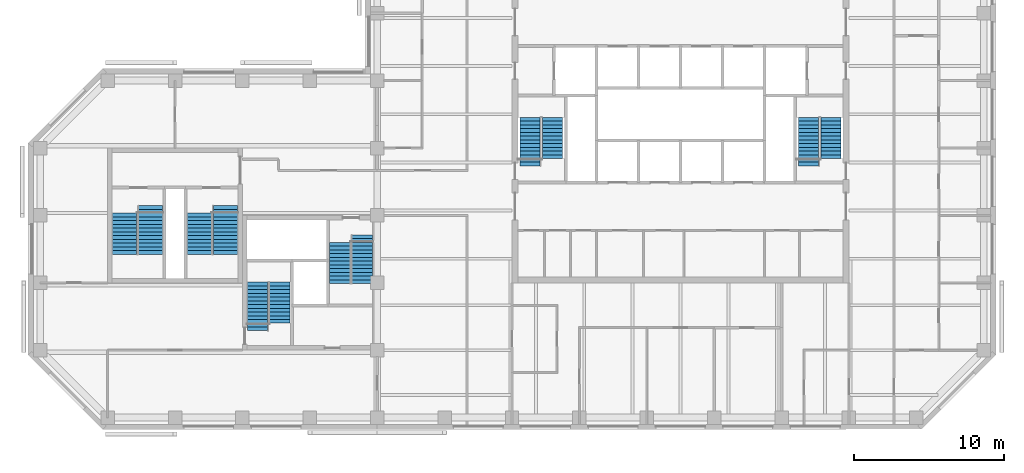
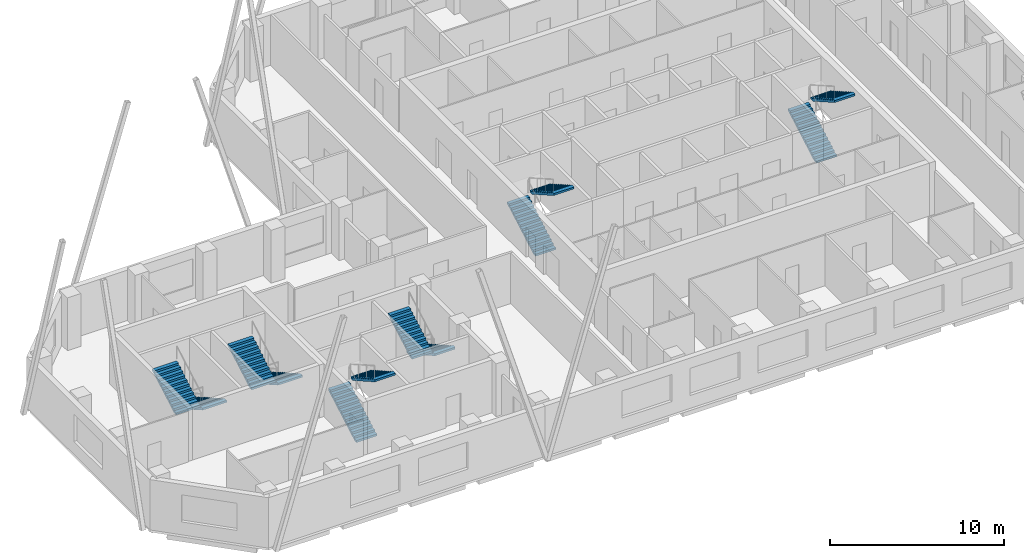
# One storey, part 9 of 10: 12 stair flights, 6 elements without a shape of their own.
"""IFC4 building model written with IfcOpenShell, lengths in metres."""

from ifc_helpers import new_model, si_unit, direction, frame, origin, place, context, subcontext, project, spatial, polyline, outline, extrude, material, type_object, element, aggregate, save


model = new_model("IFC4")

# Units and contexts
model_context = context("Model", 3, precision=1e-05, world=origin(), true_north=direction((0.0, 1.0)))
body_context = subcontext(model_context, "Body", "Model", "MODEL_VIEW")
ifc_project = project(units=[si_unit("LENGTHUNIT", "METRE"), si_unit("AREAUNIT", "SQUARE_METRE"), si_unit("VOLUMEUNIT", "CUBIC_METRE"), si_unit("PLANEANGLEUNIT", "RADIAN"), si_unit("MASSUNIT", "GRAM", prefix="KILO")], contexts=[model_context])

# Site, building, storey
site_placement = place(None, origin())
site = spatial("IfcSite", under=ifc_project, at=site_placement, CompositionType="ELEMENT")
building_placement = place(site_placement, origin())
building = spatial("IfcBuilding", under=site, at=building_placement, Name="Quoin Convention Tower", CompositionType="ELEMENT")
storey_placement = place(building_placement, frame((0.0, 0.0, 188.39990234375)))
storey = spatial("IfcBuildingStorey", under=building, at=storey_placement, Name="L49", CompositionType="ELEMENT", Elevation=188.39990234375)

# Stair, stair flights
ifc_material = material(Name="Concrete C40", Category="concrete")
stair_type_1 = type_object("IfcStairType", Name="Exit stair two-flight 1350", PredefinedType="HALF_TURN_STAIR", material=ifc_material)
stair_1_placement = place(storey_placement, origin())
stair_1 = element("IfcStair", 1, at=stair_1_placement, inside=storey, type_object=stair_type_1, Name="SD1 L49", PredefinedType="HALF_TURN_STAIR")
stair_flight_type_1 = type_object("IfcStairFlightType", Name="Stair flight 1350", PredefinedType="STRAIGHT", material=ifc_material)
stair_flight_1_placement = place(storey_placement, frame((46.199951171875, 57.300048828125, 0.0), z_axis=(0.0, 0.0, 1.0), x_axis=(0.0, 1.0, 0.0)))
stair_flight_1 = element("IfcStairFlight", 2, at=stair_flight_1_placement, type_object=stair_flight_type_1, Name="ST1 flight 1", NumberOfRisers=14, NumberOfTreads=13, PredefinedType="STRAIGHT", RiserHeight=0.142307692, TreadLength=0.25, context=body_context, shape_type="SweptSolid", body=[
    extrude(outline(polyline([(0.0, 0.0), (0.0, 0.142333984375), (0.25, 0.142333984375), (0.25, 0.28466796875), (0.5, 0.28466796875), (0.5, 0.427001953125), (0.75, 0.427001953125), (0.75, 0.5693359375), (1.0, 0.5693359375), (1.0, 0.71142578125), (1.25, 0.71142578125), (1.25, 0.853759765625), (1.5, 0.853759765625), (1.5, 0.99609375), (1.75, 0.99609375), (1.75, 1.138427734375), (2.0, 1.138427734375), (2.0, 1.28076171875), (2.25, 1.28076171875), (2.25, 1.423095703125), (2.5, 1.423095703125), (2.5, 1.5654296875), (2.75, 1.5654296875), (2.75, 1.707763671875), (3.0, 1.707763671875), (3.0, 1.85009765625), (3.25, 1.85009765625), (3.25, 1.9921875), (3.25, 1.711669921875), (0.242919921875, 0.0), (0.0, 0.0)])), frame((0.0, 0.675048828125, 0.0), z_axis=(0.0, -1.0, 0.0), x_axis=(1.0, 0.0, 0.0)), (0.0, 0.0, 1.0), 1.35009765625),
])
stair_flight_2_placement = place(storey_placement, frame((47.699951171875, 60.550048828125, 1.992431640625), z_axis=(0.0, 0.0, 1.0), x_axis=(0.0, -1.0, 0.0)))
stair_flight_2 = element("IfcStairFlight", 3, at=stair_flight_2_placement, type_object=stair_flight_type_1, Name="ST1 flight 2", NumberOfRisers=12, NumberOfTreads=11, PredefinedType="STRAIGHT", RiserHeight=0.142307692, TreadLength=0.25, context=body_context, shape_type="SweptSolid", body=[
    extrude(outline(polyline([(0.0, 0.0), (0.0, 0.142333984375), (0.25, 0.142333984375), (0.25, 0.28466796875), (0.5, 0.28466796875), (0.5, 0.427001953125), (0.75, 0.427001953125), (0.75, 0.5693359375), (1.0, 0.5693359375), (1.0, 0.71142578125), (1.25, 0.71142578125), (1.25, 0.853759765625), (1.5, 0.853759765625), (1.5, 0.99609375), (1.75, 0.99609375), (1.75, 1.138427734375), (2.0, 1.138427734375), (2.0, 1.28076171875), (2.25, 1.28076171875), (2.25, 1.423095703125), (2.5, 1.423095703125), (2.5, 1.5654296875), (2.75, 1.5654296875), (2.75, 1.707763671875), (2.75, 1.42724609375), (0.242919921875, 0.0), (0.0, 0.0)])), frame((0.0, 0.675048828125, 0.0), z_axis=(0.0, -1.0, 0.0), x_axis=(1.0, 0.0, 0.0)), (0.0, 0.0, 1.0), 1.35009765625),
])
aggregate(stair_1, [stair_flight_1, stair_flight_2])

stair_2_placement = place(storey_placement, origin())
stair_2 = element("IfcStair", 4, at=stair_2_placement, inside=storey, type_object=stair_type_1, Name="SD2 L49", PredefinedType="HALF_TURN_STAIR")
stair_flight_3_placement = place(storey_placement, frame((64.800048828125, 57.300048828125, 0.0), z_axis=(0.0, 0.0, 1.0), x_axis=(0.0, 1.0, 0.0)))
stair_flight_3 = element("IfcStairFlight", 5, at=stair_flight_3_placement, type_object=stair_flight_type_1, Name="ST2 flight 1", NumberOfRisers=14, NumberOfTreads=13, PredefinedType="STRAIGHT", RiserHeight=0.142307692, TreadLength=0.25, context=body_context, shape_type="SweptSolid", body=[
    extrude(outline(polyline([(0.0, 0.0), (0.0, 0.142333984375), (0.25, 0.142333984375), (0.25, 0.28466796875), (0.5, 0.28466796875), (0.5, 0.427001953125), (0.75, 0.427001953125), (0.75, 0.5693359375), (1.0, 0.5693359375), (1.0, 0.71142578125), (1.25, 0.71142578125), (1.25, 0.853759765625), (1.5, 0.853759765625), (1.5, 0.99609375), (1.75, 0.99609375), (1.75, 1.138427734375), (2.0, 1.138427734375), (2.0, 1.28076171875), (2.25, 1.28076171875), (2.25, 1.423095703125), (2.5, 1.423095703125), (2.5, 1.5654296875), (2.75, 1.5654296875), (2.75, 1.707763671875), (3.0, 1.707763671875), (3.0, 1.85009765625), (3.25, 1.85009765625), (3.25, 1.9921875), (3.25, 1.711669921875), (0.242919921875, 0.0), (0.0, 0.0)])), frame((0.0, 0.675048828125, 0.0), z_axis=(0.0, -1.0, 0.0), x_axis=(1.0, 0.0, 0.0)), (0.0, 0.0, 1.0), 1.35009765625),
])
stair_flight_4_placement = place(storey_placement, frame((66.300048828125, 60.550048828125, 1.992431640625), z_axis=(0.0, 0.0, 1.0), x_axis=(0.0, -1.0, 0.0)))
stair_flight_4 = element("IfcStairFlight", 6, at=stair_flight_4_placement, type_object=stair_flight_type_1, Name="ST2 flight 2", NumberOfRisers=12, NumberOfTreads=11, PredefinedType="STRAIGHT", RiserHeight=0.142307692, TreadLength=0.25, context=body_context, shape_type="SweptSolid", body=[
    extrude(outline(polyline([(0.0, 0.0), (0.0, 0.142333984375), (0.25, 0.142333984375), (0.25, 0.28466796875), (0.5, 0.28466796875), (0.5, 0.427001953125), (0.75, 0.427001953125), (0.75, 0.5693359375), (1.0, 0.5693359375), (1.0, 0.71142578125), (1.25, 0.71142578125), (1.25, 0.853759765625), (1.5, 0.853759765625), (1.5, 0.99609375), (1.75, 0.99609375), (1.75, 1.138427734375), (2.0, 1.138427734375), (2.0, 1.28076171875), (2.25, 1.28076171875), (2.25, 1.423095703125), (2.5, 1.423095703125), (2.5, 1.5654296875), (2.75, 1.5654296875), (2.75, 1.707763671875), (2.75, 1.42724609375), (0.242919921875, 0.0), (0.0, 0.0)])), frame((0.0, 0.675048828125, 0.0), z_axis=(0.0, -1.0, 0.0), x_axis=(1.0, 0.0, 0.0)), (0.0, 0.0, 1.0), 1.35009765625),
])
aggregate(stair_2, [stair_flight_3, stair_flight_4])

stair_3_placement = place(storey_placement, origin())
stair_3 = element("IfcStair", 7, at=stair_3_placement, inside=storey, type_object=stair_type_1, Name="SD3 L49", PredefinedType="HALF_TURN_STAIR")
stair_flight_5_placement = place(storey_placement, frame((28.0, 46.300048828125, 0.0), z_axis=(0.0, 0.0, 1.0), x_axis=(0.0, 1.0, 0.0)))
stair_flight_5 = element("IfcStairFlight", 8, at=stair_flight_5_placement, type_object=stair_flight_type_1, Name="ST3 flight 1", NumberOfRisers=14, NumberOfTreads=13, PredefinedType="STRAIGHT", RiserHeight=0.142307692, TreadLength=0.25, context=body_context, shape_type="SweptSolid", body=[
    extrude(outline(polyline([(0.0, 0.0), (0.0, 0.142333984375), (0.25, 0.142333984375), (0.25, 0.28466796875), (0.5, 0.28466796875), (0.5, 0.427001953125), (0.75, 0.427001953125), (0.75, 0.5693359375), (1.0, 0.5693359375), (1.0, 0.71142578125), (1.25, 0.71142578125), (1.25, 0.853759765625), (1.5, 0.853759765625), (1.5, 0.99609375), (1.75, 0.99609375), (1.75, 1.138427734375), (2.0, 1.138427734375), (2.0, 1.28076171875), (2.25, 1.28076171875), (2.25, 1.423095703125), (2.5, 1.423095703125), (2.5, 1.5654296875), (2.75, 1.5654296875), (2.75, 1.707763671875), (3.0, 1.707763671875), (3.0, 1.85009765625), (3.25, 1.85009765625), (3.25, 1.9921875), (3.25, 1.711669921875), (0.242919921875, 0.0), (0.0, 0.0)])), frame((0.0, 0.675048828125, 0.0), z_axis=(0.0, -1.0, 0.0), x_axis=(1.0, 0.0, 0.0)), (0.0, 0.0, 1.0), 1.35009765625),
])
stair_flight_6_placement = place(storey_placement, frame((29.5, 49.550048828125, 1.992431640625), z_axis=(0.0, 0.0, 1.0), x_axis=(0.0, -1.0, 0.0)))
stair_flight_6 = element("IfcStairFlight", 9, at=stair_flight_6_placement, type_object=stair_flight_type_1, Name="ST3 flight 2", NumberOfRisers=12, NumberOfTreads=11, PredefinedType="STRAIGHT", RiserHeight=0.142307692, TreadLength=0.25, context=body_context, shape_type="SweptSolid", body=[
    extrude(outline(polyline([(0.0, 0.0), (0.0, 0.142333984375), (0.25, 0.142333984375), (0.25, 0.28466796875), (0.5, 0.28466796875), (0.5, 0.427001953125), (0.75, 0.427001953125), (0.75, 0.5693359375), (1.0, 0.5693359375), (1.0, 0.71142578125), (1.25, 0.71142578125), (1.25, 0.853759765625), (1.5, 0.853759765625), (1.5, 0.99609375), (1.75, 0.99609375), (1.75, 1.138427734375), (2.0, 1.138427734375), (2.0, 1.28076171875), (2.25, 1.28076171875), (2.25, 1.423095703125), (2.5, 1.423095703125), (2.5, 1.5654296875), (2.75, 1.5654296875), (2.75, 1.707763671875), (2.75, 1.42724609375), (0.242919921875, 0.0), (0.0, 0.0)])), frame((0.0, 0.675048828125, 0.0), z_axis=(0.0, -1.0, 0.0), x_axis=(1.0, 0.0, 0.0)), (0.0, 0.0, 1.0), 1.35009765625),
])
aggregate(stair_3, [stair_flight_5, stair_flight_6])

stair_4_placement = place(storey_placement, origin())
stair_4 = element("IfcStair", 10, at=stair_4_placement, inside=storey, type_object=stair_type_1, Name="SD4 L49", PredefinedType="HALF_TURN_STAIR")
stair_flight_7_placement = place(storey_placement, frame((35.0, 52.699951171875, 0.0), z_axis=(0.0, 0.0, 1.0), x_axis=(0.0, -1.0, 0.0)))
stair_flight_7 = element("IfcStairFlight", 11, at=stair_flight_7_placement, type_object=stair_flight_type_1, Name="ST4 flight 1", NumberOfRisers=14, NumberOfTreads=13, PredefinedType="STRAIGHT", RiserHeight=0.142307692, TreadLength=0.25, context=body_context, shape_type="SweptSolid", body=[
    extrude(outline(polyline([(0.0, 0.0), (0.0, 0.142333984375), (0.25, 0.142333984375), (0.25, 0.28466796875), (0.5, 0.28466796875), (0.5, 0.427001953125), (0.75, 0.427001953125), (0.75, 0.5693359375), (1.0, 0.5693359375), (1.0, 0.71142578125), (1.25, 0.71142578125), (1.25, 0.853759765625), (1.5, 0.853759765625), (1.5, 0.99609375), (1.75, 0.99609375), (1.75, 1.138427734375), (2.0, 1.138427734375), (2.0, 1.28076171875), (2.25, 1.28076171875), (2.25, 1.423095703125), (2.5, 1.423095703125), (2.5, 1.5654296875), (2.75, 1.5654296875), (2.75, 1.707763671875), (3.0, 1.707763671875), (3.0, 1.85009765625), (3.25, 1.85009765625), (3.25, 1.9921875), (3.25, 1.711669921875), (0.242919921875, 0.0), (0.0, 0.0)])), frame((0.0, 0.675048828125, 0.0), z_axis=(0.0, -1.0, 0.0), x_axis=(1.0, 0.0, 0.0)), (0.0, 0.0, 1.0), 1.35009765625),
])
stair_flight_8_placement = place(storey_placement, frame((33.5, 49.449951171875, 1.992431640625), z_axis=(0.0, 0.0, 1.0), x_axis=(0.0, 1.0, 0.0)))
stair_flight_8 = element("IfcStairFlight", 12, at=stair_flight_8_placement, type_object=stair_flight_type_1, Name="ST4 flight 2", NumberOfRisers=12, NumberOfTreads=11, PredefinedType="STRAIGHT", RiserHeight=0.142307692, TreadLength=0.25, context=body_context, shape_type="SweptSolid", body=[
    extrude(outline(polyline([(0.0, 0.0), (0.0, 0.142333984375), (0.25, 0.142333984375), (0.25, 0.28466796875), (0.5, 0.28466796875), (0.5, 0.427001953125), (0.75, 0.427001953125), (0.75, 0.5693359375), (1.0, 0.5693359375), (1.0, 0.71142578125), (1.25, 0.71142578125), (1.25, 0.853759765625), (1.5, 0.853759765625), (1.5, 0.99609375), (1.75, 0.99609375), (1.75, 1.138427734375), (2.0, 1.138427734375), (2.0, 1.28076171875), (2.25, 1.28076171875), (2.25, 1.423095703125), (2.5, 1.423095703125), (2.5, 1.5654296875), (2.75, 1.5654296875), (2.75, 1.707763671875), (2.75, 1.42724609375), (0.242919921875, 0.0), (0.0, 0.0)])), frame((0.0, 0.675048828125, 0.0), z_axis=(0.0, -1.0, 0.0), x_axis=(1.0, 0.0, 0.0)), (0.0, 0.0, 1.0), 1.35009765625),
])
aggregate(stair_4, [stair_flight_7, stair_flight_8])

stair_type_2 = type_object("IfcStairType", Name="Exit stair two-flight 1600", PredefinedType="HALF_TURN_STAIR", material=ifc_material)
stair_5_placement = place(storey_placement, origin())
stair_5 = element("IfcStair", 13, at=stair_5_placement, inside=storey, type_object=stair_type_2, Name="SD11 L49", PredefinedType="HALF_TURN_STAIR")
stair_flight_type_2 = type_object("IfcStairFlightType", Name="Stair flight 1600", PredefinedType="STRAIGHT", material=ifc_material)
stair_flight_9_placement = place(storey_placement, frame((20.875, 54.64990234375, 0.0), z_axis=(0.0, 0.0, 1.0), x_axis=(0.0, -1.0, 0.0)))
stair_flight_9 = element("IfcStairFlight", 14, at=stair_flight_9_placement, type_object=stair_flight_type_2, Name="ST11 flight 1", NumberOfRisers=14, NumberOfTreads=13, PredefinedType="STRAIGHT", RiserHeight=0.142307692, TreadLength=0.25, context=body_context, shape_type="SweptSolid", body=[
    extrude(outline(polyline([(0.0, 0.0), (0.0, 0.142333984375), (0.25, 0.142333984375), (0.25, 0.28466796875), (0.5, 0.28466796875), (0.5, 0.427001953125), (0.75, 0.427001953125), (0.75, 0.5693359375), (1.0, 0.5693359375), (1.0, 0.71142578125), (1.25, 0.71142578125), (1.25, 0.853759765625), (1.5, 0.853759765625), (1.5, 0.99609375), (1.75, 0.99609375), (1.75, 1.138427734375), (2.0, 1.138427734375), (2.0, 1.28076171875), (2.25, 1.28076171875), (2.25, 1.423095703125), (2.5, 1.423095703125), (2.5, 1.5654296875), (2.75, 1.5654296875), (2.75, 1.707763671875), (3.0, 1.707763671875), (3.0, 1.85009765625), (3.25, 1.85009765625), (3.25, 1.9921875), (3.25, 1.711669921875), (0.242919921875, 0.0), (0.0, 0.0)])), frame((0.0, 0.800048828125, 0.0), z_axis=(0.0, -1.0, 0.0), x_axis=(1.0, 0.0, 0.0)), (0.0, 0.0, 1.0), 1.60009765625),
])
stair_flight_10_placement = place(storey_placement, frame((19.125, 51.39990234375, 1.992431640625), z_axis=(0.0, 0.0, 1.0), x_axis=(0.0, 1.0, 0.0)))
stair_flight_10 = element("IfcStairFlight", 15, at=stair_flight_10_placement, type_object=stair_flight_type_2, Name="ST11 flight 2", NumberOfRisers=12, NumberOfTreads=11, PredefinedType="STRAIGHT", RiserHeight=0.142307692, TreadLength=0.25, context=body_context, shape_type="SweptSolid", body=[
    extrude(outline(polyline([(0.0, 0.0), (0.0, 0.142333984375), (0.25, 0.142333984375), (0.25, 0.28466796875), (0.5, 0.28466796875), (0.5, 0.427001953125), (0.75, 0.427001953125), (0.75, 0.5693359375), (1.0, 0.5693359375), (1.0, 0.71142578125), (1.25, 0.71142578125), (1.25, 0.853759765625), (1.5, 0.853759765625), (1.5, 0.99609375), (1.75, 0.99609375), (1.75, 1.138427734375), (2.0, 1.138427734375), (2.0, 1.28076171875), (2.25, 1.28076171875), (2.25, 1.423095703125), (2.5, 1.423095703125), (2.5, 1.5654296875), (2.75, 1.5654296875), (2.75, 1.707763671875), (2.75, 1.42724609375), (0.242919921875, 0.0), (0.0, 0.0)])), frame((0.0, 0.800048828125, 0.0), z_axis=(0.0, -1.0, 0.0), x_axis=(1.0, 0.0, 0.0)), (0.0, 0.0, 1.0), 1.60009765625),
])
aggregate(stair_5, [stair_flight_9, stair_flight_10])

stair_6_placement = place(storey_placement, origin())
stair_6 = element("IfcStair", 16, at=stair_6_placement, inside=storey, type_object=stair_type_2, Name="SD12 L49", PredefinedType="HALF_TURN_STAIR")
stair_flight_11_placement = place(storey_placement, frame((25.875, 54.64990234375, 0.0), z_axis=(0.0, 0.0, 1.0), x_axis=(0.0, -1.0, 0.0)))
stair_flight_11 = element("IfcStairFlight", 17, at=stair_flight_11_placement, type_object=stair_flight_type_2, Name="ST12 flight 1", NumberOfRisers=14, NumberOfTreads=13, PredefinedType="STRAIGHT", RiserHeight=0.142307692, TreadLength=0.25, context=body_context, shape_type="SweptSolid", body=[
    extrude(outline(polyline([(0.0, 0.0), (0.0, 0.142333984375), (0.25, 0.142333984375), (0.25, 0.28466796875), (0.5, 0.28466796875), (0.5, 0.427001953125), (0.75, 0.427001953125), (0.75, 0.5693359375), (1.0, 0.5693359375), (1.0, 0.71142578125), (1.25, 0.71142578125), (1.25, 0.853759765625), (1.5, 0.853759765625), (1.5, 0.99609375), (1.75, 0.99609375), (1.75, 1.138427734375), (2.0, 1.138427734375), (2.0, 1.28076171875), (2.25, 1.28076171875), (2.25, 1.423095703125), (2.5, 1.423095703125), (2.5, 1.5654296875), (2.75, 1.5654296875), (2.75, 1.707763671875), (3.0, 1.707763671875), (3.0, 1.85009765625), (3.25, 1.85009765625), (3.25, 1.9921875), (3.25, 1.711669921875), (0.242919921875, 0.0), (0.0, 0.0)])), frame((0.0, 0.800048828125, 0.0), z_axis=(0.0, -1.0, 0.0), x_axis=(1.0, 0.0, 0.0)), (0.0, 0.0, 1.0), 1.60009765625),
])
stair_flight_12_placement = place(storey_placement, frame((24.125, 51.39990234375, 1.992431640625), z_axis=(0.0, 0.0, 1.0), x_axis=(0.0, 1.0, 0.0)))
stair_flight_12 = element("IfcStairFlight", 18, at=stair_flight_12_placement, type_object=stair_flight_type_2, Name="ST12 flight 2", NumberOfRisers=12, NumberOfTreads=11, PredefinedType="STRAIGHT", RiserHeight=0.142307692, TreadLength=0.25, context=body_context, shape_type="SweptSolid", body=[
    extrude(outline(polyline([(0.0, 0.0), (0.0, 0.142333984375), (0.25, 0.142333984375), (0.25, 0.28466796875), (0.5, 0.28466796875), (0.5, 0.427001953125), (0.75, 0.427001953125), (0.75, 0.5693359375), (1.0, 0.5693359375), (1.0, 0.71142578125), (1.25, 0.71142578125), (1.25, 0.853759765625), (1.5, 0.853759765625), (1.5, 0.99609375), (1.75, 0.99609375), (1.75, 1.138427734375), (2.0, 1.138427734375), (2.0, 1.28076171875), (2.25, 1.28076171875), (2.25, 1.423095703125), (2.5, 1.423095703125), (2.5, 1.5654296875), (2.75, 1.5654296875), (2.75, 1.707763671875), (2.75, 1.42724609375), (0.242919921875, 0.0), (0.0, 0.0)])), frame((0.0, 0.800048828125, 0.0), z_axis=(0.0, -1.0, 0.0), x_axis=(1.0, 0.0, 0.0)), (0.0, 0.0, 1.0), 1.60009765625),
])
aggregate(stair_6, [stair_flight_11, stair_flight_12])

save(model, "model.ifc")
